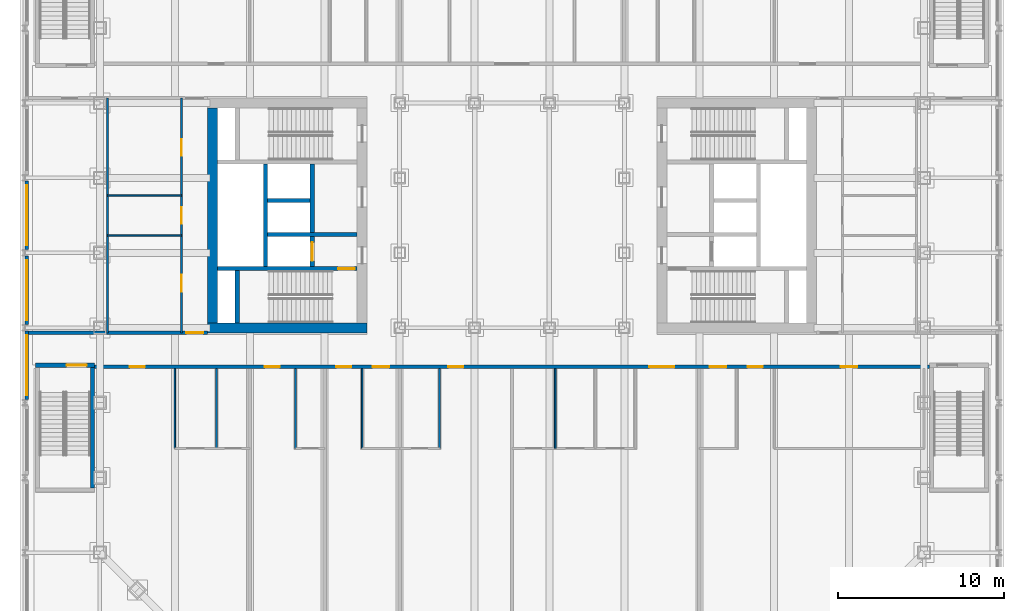
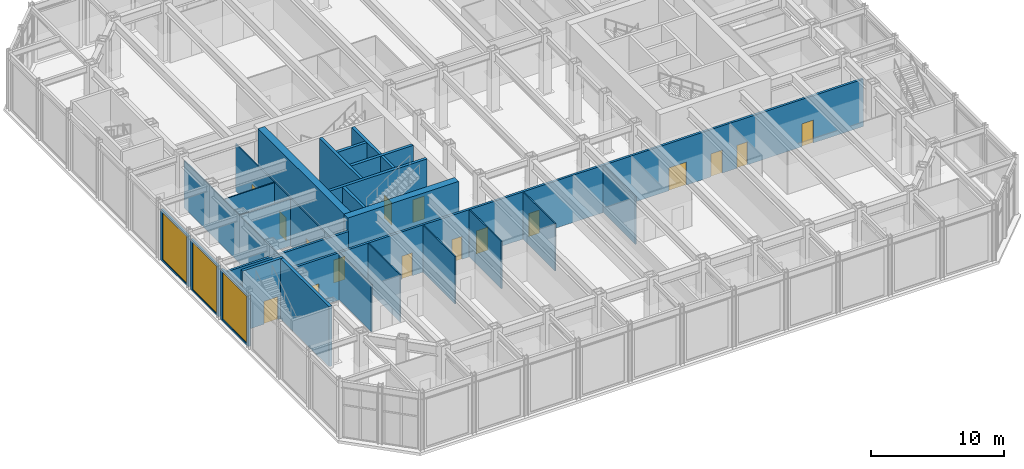
# One storey, part 11 of 19: 25 walls, 16 doors, 3 windows, 19 openings.
"""IFC4 building model written with IfcOpenShell, lengths in metres."""

from ifc_helpers import new_model, si_unit, direction, frame, frame_2d, origin, place, context, subcontext, project, spatial, rectangle, extrude, material, layer, layer_set, type_object, element, fill, save


model = new_model("IFC4")

# Units and contexts
model_context = context("Model", 3, precision=1e-05, world=origin(), true_north=direction((0.0, 1.0)))
body_context = subcontext(model_context, "Body", "Model", "MODEL_VIEW")
ifc_project = project(units=[si_unit("LENGTHUNIT", "METRE"), si_unit("AREAUNIT", "SQUARE_METRE"), si_unit("VOLUMEUNIT", "CUBIC_METRE"), si_unit("PLANEANGLEUNIT", "RADIAN"), si_unit("MASSUNIT", "GRAM", prefix="KILO")], contexts=[model_context])

# Site, building, storey
site_placement = place(None, origin())
site = spatial("IfcSite", under=ifc_project, at=site_placement, CompositionType="ELEMENT")
building_placement = place(site_placement, origin())
building = spatial("IfcBuilding", under=site, at=building_placement, Name="Msasa Ring Tower", CompositionType="ELEMENT")
storey_placement = place(building_placement, frame((0.0, 0.0, 16.0)))
storey = spatial("IfcBuildingStorey", under=building, at=storey_placement, Name="L03", CompositionType="ELEMENT", Elevation=16.0)

# Walls
ifc_material_1 = material(Name="Concrete C60/75", Category="concrete")
ifc_layer_1 = layer(ifc_material_1, 0.60009765625)
ifc_layer_set_1 = layer_set([ifc_layer_1], Name="CW1 CORE WALL 600")
wall_type_1 = type_object("IfcWallType", Name="CW1 CORE WALL 600", PredefinedType="SHEAR", material=ifc_layer_set_1)
wall_1_placement = place(storey_placement, frame((-8.699951171875, -6.75, 0.0), z_axis=(0.0, 0.0, 1.0), x_axis=(-1.0, 0.0, 0.0)))
element("IfcWall", 1, at=wall_1_placement, inside=storey, type_object=wall_type_1, Name="W core wall S L03", PredefinedType="SHEAR", context=body_context, shape_type="SweptSolid", body=[
    extrude(rectangle(XDim=9.60009765625, YDim=0.60009765625, at=frame_2d((4.800048828125, 0.0))), origin(), (0.0, 0.0, 1.0), 5.5),
])
wall_2_placement = place(storey_placement, frame((-18.0, -6.449951171875, 0.0), z_axis=(0.0, 0.0, 1.0), x_axis=(0.0, 1.0, 0.0)))
element("IfcWall", 2, at=wall_2_placement, inside=storey, type_object=wall_type_1, Name="W core wall E L03", PredefinedType="SHEAR", context=body_context, shape_type="SweptSolid", body=[
    extrude(rectangle(XDim=12.89990234375, YDim=0.60009765625, at=frame_2d((6.449951171875, 0.0))), origin(), (0.0, 0.0, 1.0), 5.5),
])

# Wall, opening, door
ifc_material_2 = material(Name="Concrete C60/75", Category="concrete")
ifc_layer_2 = layer(ifc_material_2, 0.25)
ifc_layer_set_2 = layer_set([ifc_layer_2], Name="CW4 CORE INNER WALL 250")
wall_type_2 = type_object("IfcWallType", Name="CW4 CORE INNER WALL 250", PredefinedType="SHEAR", material=ifc_layer_set_2)
wall_3_placement = place(storey_placement, frame((-9.300048828125, -3.199951171875, 0.0), z_axis=(0.0, 0.0, 1.0), x_axis=(-1.0, 0.0, 0.0)))
wall_3 = element("IfcWall", 3, at=wall_3_placement, inside=storey, type_object=wall_type_2, Name="W core wall STAIRA L03", PredefinedType="SHEAR", context=body_context, shape_type="SweptSolid", body=[
    extrude(rectangle(XDim=8.39990234375, YDim=0.25, at=frame_2d((4.199951171875, 0.0))), origin(), (0.0, 0.0, 1.0), 5.5),
])
opening_1_placement = place(wall_3_placement, frame((0.14990234375, 0.0, 0.0)))
opening_1 = element("IfcOpeningElement", 4, at=opening_1_placement, cuts=wall_3, Name="Opening L03-032", PredefinedType="OPENING", context=body_context, shape_type="SweptSolid", body=[
    extrude(rectangle(XDim=1.0, YDim=2.10009765625, at=frame_2d((0.5, 1.050048828125))), frame((0.0, 0.135009765625, 0.0), z_axis=(0.0, -1.0, 0.0), x_axis=(1.0, 0.0, 0.0)), (0.0, 0.0, 1.0), 0.27001953125),
])
ifc_material_3 = material(Name="Timber door leaf in a steel frame", Category="steel")
door_type_1 = type_object("IfcDoorType", Name="D6 STAIR DOOR 1000x2100", OperationType="SINGLE_SWING_LEFT", PredefinedType="DOOR", material=ifc_material_3)
door_1_placement = place(opening_1_placement, origin())
door_1 = element("IfcDoor", 5, at=door_1_placement, inside=storey, type_object=door_type_1, Name="Door L03-WSTA", OperationType="SINGLE_SWING_LEFT", OverallHeight=2.10009765625, OverallWidth=1.0, PredefinedType="DOOR", context=body_context, shape_type="SweptSolid", body=[
    extrude(rectangle(XDim=1.0, YDim=2.10009765625, at=frame_2d((0.5, 1.050048828125))), frame((0.0, 0.02490234375, 0.0), z_axis=(0.0, -1.0, 0.0), x_axis=(1.0, 0.0, 0.0)), (0.0, 0.0, 1.0), 0.050048828125),
])
fill(opening_1, door_1)

# Walls
wall_4_placement = place(storey_placement, frame((-16.5, -6.449951171875, 0.0), z_axis=(0.0, 0.0, 1.0), x_axis=(0.0, 1.0, 0.0)))
element("IfcWall", 6, at=wall_4_placement, inside=storey, type_object=wall_type_2, Name="W core wall RISERA L03", PredefinedType="SHEAR", context=body_context, shape_type="SweptSolid", body=[
    extrude(rectangle(XDim=3.125, YDim=0.25, at=frame_2d((1.5625, 0.0))), origin(), (0.0, 0.0, 1.0), 5.5),
])
wall_5_placement = place(storey_placement, frame((-9.300048828125, -1.14990234375, 0.0), z_axis=(0.0, 0.0, 1.0), x_axis=(-1.0, 0.0, 0.0)))
element("IfcWall", 7, at=wall_5_placement, inside=storey, type_object=wall_type_2, Name="W core wall FFL L03", PredefinedType="SHEAR", context=body_context, shape_type="SweptSolid", body=[
    extrude(rectangle(XDim=5.375, YDim=0.25, at=frame_2d((2.6875, 0.0))), origin(), (0.0, 0.0, 1.0), 5.5),
])

# Wall, opening, door
wall_6_placement = place(storey_placement, frame((-12.0, -3.074951171875, 0.0), z_axis=(0.0, 0.0, 1.0), x_axis=(0.0, 1.0, 0.0)))
wall_6 = element("IfcWall", 8, at=wall_6_placement, inside=storey, type_object=wall_type_2, Name="W core wall LOBBY L03", PredefinedType="SHEAR", context=body_context, shape_type="SweptSolid", body=[
    extrude(rectangle(XDim=6.14990234375, YDim=0.25, at=frame_2d((3.074951171875, 0.0))), origin(), (0.0, 0.0, 1.0), 5.5),
])
opening_2_placement = place(wall_6_placement, frame((0.35009765625, 0.0, 0.0)))
opening_2 = element("IfcOpeningElement", 9, at=opening_2_placement, cuts=wall_6, Name="Opening LD1", PredefinedType="OPENING", context=body_context, shape_type="SweptSolid", body=[
    extrude(rectangle(XDim=1.10009765625, YDim=2.10009765625, at=frame_2d((0.550048828125, 1.050048828125))), frame((0.0, 0.135009765625, 0.0), z_axis=(0.0, -1.0, 0.0), x_axis=(1.0, 0.0, 0.0)), (0.0, 0.0, 1.0), 0.27001953125),
])
ifc_material_4 = material(Name="Stainless steel lift landing door", Category="steel")
door_type_2 = type_object("IfcDoorType", Name="LD1 LIFT LANDING DOOR 1100x2100", OperationType="DOUBLE_DOOR_SLIDING", PredefinedType="DOOR", material=ifc_material_4)
door_2_placement = place(opening_2_placement, origin())
door_2 = element("IfcDoor", 10, at=door_2_placement, inside=storey, type_object=door_type_2, Name="Lift landing door FL-W L03", OperationType="DOUBLE_DOOR_SLIDING", OverallHeight=2.10009765625, OverallWidth=1.10009765625, PredefinedType="DOOR", context=body_context, shape_type="SweptSolid", body=[
    extrude(rectangle(XDim=1.10009765625, YDim=2.10009765625, at=frame_2d((0.550048828125, 1.050048828125))), frame((0.0, 0.02490234375, 0.0), z_axis=(0.0, -1.0, 0.0), x_axis=(1.0, 0.0, 0.0)), (0.0, 0.0, 1.0), 0.050048828125),
])
fill(opening_2, door_2)

# Walls
wall_7_placement = place(storey_placement, frame((-14.800048828125, -3.074951171875, 0.0), z_axis=(0.0, 0.0, 1.0), x_axis=(0.0, 1.0, 0.0)))
element("IfcWall", 11, at=wall_7_placement, inside=storey, type_object=wall_type_2, Name="W core wall SHAFT L03", PredefinedType="SHEAR", context=body_context, shape_type="SweptSolid", body=[
    extrude(rectangle(XDim=6.14990234375, YDim=0.25, at=frame_2d((3.074951171875, 0.0))), origin(), (0.0, 0.0, 1.0), 5.5),
])
wall_8_placement = place(storey_placement, frame((-12.125, 0.89990234375, 0.0), z_axis=(0.0, 0.0, 1.0), x_axis=(-1.0, 0.0, 0.0)))
element("IfcWall", 12, at=wall_8_placement, inside=storey, type_object=wall_type_2, Name="W core wall LIFT1 L03", PredefinedType="SHEAR", context=body_context, shape_type="SweptSolid", body=[
    extrude(rectangle(XDim=2.550048828125, YDim=0.25, at=frame_2d((1.27490234375, 0.0))), origin(), (0.0, 0.0, 1.0), 5.5),
])

# Wall, opening, window
ifc_material_5 = material(Name="Terracotta rainscreen on blockwork", Category="masonry")
ifc_layer_3 = layer(ifc_material_5, 0.199951171875)
ifc_layer_set_3 = layer_set([ifc_layer_3], Name="FW2 TERRACOTTA PODIUM BAY WALL 200")
wall_type_3 = type_object("IfcWallType", Name="FW2 TERRACOTTA PODIUM BAY WALL 200", PredefinedType="SOLIDWALL", material=ifc_layer_set_3)
wall_9_placement = place(storey_placement, frame((-29.14990234375, -11.0625, 0.0), z_axis=(0.0, 0.0, 1.0), x_axis=(0.0, 1.0, 0.0)))
wall_9 = element("IfcWall", 13, at=wall_9_placement, inside=storey, type_object=wall_type_3, Name="Podium bay wall W L03 42", PredefinedType="SOLIDWALL", context=body_context, shape_type="SweptSolid", body=[
    extrude(rectangle(XDim=4.125, YDim=0.199951171875, at=frame_2d((2.0625, 0.0))), origin(), (0.0, 0.0, 1.0), 4.6328125),
])
opening_3_placement = place(wall_9_placement, frame((0.262451171875, 0.0, 0.14990234375)))
opening_3 = element("IfcOpeningElement", 14, at=opening_3_placement, cuts=wall_9, Name="Opening SF4", PredefinedType="OPENING", context=body_context, shape_type="SweptSolid", body=[
    extrude(rectangle(XDim=3.60009765625, YDim=4.3330078125, at=frame_2d((1.800048828125, 2.16650390625))), frame((0.0, 0.10986328125, 0.0), z_axis=(0.0, -1.0, 0.0), x_axis=(1.0, 0.0, 0.0)), (0.0, 0.0, 1.0), 0.219970703125),
])
ifc_material_6 = material(Name="Aluminium frame with clear glass", Category="aluminium")
window_type = type_object("IfcWindowType", Name="SF4 SHOPFRONT GLAZING 3600x4333", PartitioningType="SINGLE_PANEL", PredefinedType="WINDOW", material=ifc_material_6)
window_1_placement = place(opening_3_placement, origin())
window_1 = element("IfcWindow", 15, at=window_1_placement, inside=storey, type_object=window_type, Name="Shopfront glazing W L03 42", OverallHeight=4.3330078125, OverallWidth=3.60009765625, PartitioningType="SINGLE_PANEL", PredefinedType="WINDOW", context=body_context, shape_type="SweptSolid", body=[
    extrude(rectangle(XDim=3.60009765625, YDim=4.3330078125, at=frame_2d((1.800048828125, 2.16650390625))), frame((0.0, 0.030029296875, 0.0), z_axis=(0.0, -1.0, 0.0), x_axis=(1.0, 0.0, 0.0)), (0.0, 0.0, 1.0), 0.06005859375),
])
fill(opening_3, window_1)

wall_10_placement = place(storey_placement, frame((-29.14990234375, -6.5625, 0.0), z_axis=(0.0, 0.0, 1.0), x_axis=(0.0, 1.0, 0.0)))
wall_10 = element("IfcWall", 16, at=wall_10_placement, inside=storey, type_object=wall_type_3, Name="Podium bay wall W L03 43", PredefinedType="SOLIDWALL", context=body_context, shape_type="SweptSolid", body=[
    extrude(rectangle(XDim=4.124755859375, YDim=0.199951171875, at=frame_2d((2.0625, 0.0))), origin(), (0.0, 0.0, 1.0), 4.6328125),
])
opening_4_placement = place(wall_10_placement, frame((0.262451171875, 0.0, 0.14990234375)))
opening_4 = element("IfcOpeningElement", 17, at=opening_4_placement, cuts=wall_10, Name="Opening SF4", PredefinedType="OPENING", context=body_context, shape_type="SweptSolid", body=[
    extrude(rectangle(XDim=3.60009765625, YDim=4.3330078125, at=frame_2d((1.800048828125, 2.16650390625))), frame((0.0, 0.10986328125, 0.0), z_axis=(0.0, -1.0, 0.0), x_axis=(1.0, 0.0, 0.0)), (0.0, 0.0, 1.0), 0.219970703125),
])
window_2_placement = place(opening_4_placement, origin())
window_2 = element("IfcWindow", 18, at=window_2_placement, inside=storey, type_object=window_type, Name="Shopfront glazing W L03 43", OverallHeight=4.3330078125, OverallWidth=3.60009765625, PartitioningType="SINGLE_PANEL", PredefinedType="WINDOW", context=body_context, shape_type="SweptSolid", body=[
    extrude(rectangle(XDim=3.60009765625, YDim=4.3330078125, at=frame_2d((1.800048828125, 2.16650390625))), frame((0.0, 0.030029296875, 0.0), z_axis=(0.0, -1.0, 0.0), x_axis=(1.0, 0.0, 0.0)), (0.0, 0.0, 1.0), 0.06005859375),
])
fill(opening_4, window_2)

wall_11_placement = place(storey_placement, frame((-29.14990234375, -2.062255859375, 0.0), z_axis=(0.0, 0.0, 1.0), x_axis=(0.0, 1.0, 0.0)))
wall_11 = element("IfcWall", 19, at=wall_11_placement, inside=storey, type_object=wall_type_3, Name="Podium bay wall W L03 44", PredefinedType="SOLIDWALL", context=body_context, shape_type="SweptSolid", body=[
    extrude(rectangle(XDim=4.12451171875, YDim=0.199951171875, at=frame_2d((2.062255859375, 0.0))), origin(), (0.0, 0.0, 1.0), 4.6328125),
])
opening_5_placement = place(wall_11_placement, frame((0.26220703125, 0.0, 0.14990234375)))
opening_5 = element("IfcOpeningElement", 20, at=opening_5_placement, cuts=wall_11, Name="Opening SF4", PredefinedType="OPENING", context=body_context, shape_type="SweptSolid", body=[
    extrude(rectangle(XDim=3.60009765625, YDim=4.3330078125, at=frame_2d((1.800048828125, 2.16650390625))), frame((0.0, 0.10986328125, 0.0), z_axis=(0.0, -1.0, 0.0), x_axis=(1.0, 0.0, 0.0)), (0.0, 0.0, 1.0), 0.219970703125),
])
window_3_placement = place(opening_5_placement, origin())
window_3 = element("IfcWindow", 21, at=window_3_placement, inside=storey, type_object=window_type, Name="Shopfront glazing W L03 44", OverallHeight=4.3330078125, OverallWidth=3.60009765625, PartitioningType="SINGLE_PANEL", PredefinedType="WINDOW", context=body_context, shape_type="SweptSolid", body=[
    extrude(rectangle(XDim=3.60009765625, YDim=4.3330078125, at=frame_2d((1.800048828125, 2.16650390625))), frame((0.0, 0.030029296875, 0.0), z_axis=(0.0, -1.0, 0.0), x_axis=(1.0, 0.0, 0.0)), (0.0, 0.0, 1.0), 0.06005859375),
])
fill(opening_5, window_3)

# Wall, openings, doors
ifc_material_7 = material(Name="Concrete blockwork", Category="masonry")
ifc_layer_4 = layer(ifc_material_7, 0.199951171875)
ifc_layer_set_4 = layer_set([ifc_layer_4], Name="PT1 CORRIDOR WALL 200")
wall_type_4 = type_object("IfcWallType", Name="PT1 CORRIDOR WALL 200", PredefinedType="PARTITIONING", material=ifc_layer_set_4)
wall_12_placement = place(storey_placement, frame((-25.074951171875, -9.10009765625, 0.0), z_axis=(0.0, 0.0, 1.0), x_axis=(1.0, 0.0, 0.0)))
wall_12 = element("IfcWall", 22, at=wall_12_placement, inside=storey, type_object=wall_type_4, Name="Corridor wall L03-CORRS1", PredefinedType="PARTITIONING", context=body_context, shape_type="SweptSolid", body=[
    extrude(rectangle(XDim=50.14990234375, YDim=0.199951171875, at=frame_2d((25.074951171875, 0.0))), origin(), (0.0, 0.0, 1.0), 4.3291015625),
])
opening_6_placement = place(wall_12_placement, frame((2.125, 0.0, 0.0)))
opening_6 = element("IfcOpeningElement", 23, at=opening_6_placement, cuts=wall_12, Name="Opening L03-040", PredefinedType="OPENING", context=body_context, shape_type="SweptSolid", body=[
    extrude(rectangle(XDim=0.89990234375, YDim=2.10009765625, at=frame_2d((0.449951171875, 1.050048828125))), frame((0.0, 0.10986328125, 0.0), z_axis=(0.0, -1.0, 0.0), x_axis=(1.0, 0.0, 0.0)), (0.0, 0.0, 1.0), 0.219970703125),
])
opening_7_placement = place(wall_12_placement, frame((10.22509765625, 0.0, 0.0)))
opening_7 = element("IfcOpeningElement", 24, at=opening_7_placement, cuts=wall_12, Name="Opening L03-041", PredefinedType="OPENING", context=body_context, shape_type="SweptSolid", body=[
    extrude(rectangle(XDim=0.89990234375, YDim=2.10009765625, at=frame_2d((0.449951171875, 1.050048828125))), frame((0.0, 0.10986328125, 0.0), z_axis=(0.0, -1.0, 0.0), x_axis=(1.0, 0.0, 0.0)), (0.0, 0.0, 1.0), 0.219970703125),
])
opening_8_placement = place(wall_12_placement, frame((16.699951171875, 0.0, 0.0)))
opening_8 = element("IfcOpeningElement", 25, at=opening_8_placement, cuts=wall_12, Name="Opening L03-043", PredefinedType="OPENING", context=body_context, shape_type="SweptSolid", body=[
    extrude(rectangle(XDim=1.0, YDim=2.10009765625, at=frame_2d((0.5, 1.050048828125))), frame((0.0, 0.10986328125, 0.0), z_axis=(0.0, -1.0, 0.0), x_axis=(1.0, 0.0, 0.0)), (0.0, 0.0, 1.0), 0.219970703125),
])
opening_9_placement = place(wall_12_placement, frame((14.52490234375, 0.0, 0.0)))
opening_9 = element("IfcOpeningElement", 26, at=opening_9_placement, cuts=wall_12, Name="Opening L03-042", PredefinedType="OPENING", context=body_context, shape_type="SweptSolid", body=[
    extrude(rectangle(XDim=0.89990234375, YDim=2.10009765625, at=frame_2d((0.449951171875, 1.050048828125))), frame((0.0, 0.10986328125, 0.0), z_axis=(0.0, -1.0, 0.0), x_axis=(1.0, 0.0, 0.0)), (0.0, 0.0, 1.0), 0.219970703125),
])
opening_10_placement = place(wall_12_placement, frame((21.25, 0.0, 0.0)))
opening_10 = element("IfcOpeningElement", 27, at=opening_10_placement, cuts=wall_12, Name="Opening L03-044", PredefinedType="OPENING", context=body_context, shape_type="SweptSolid", body=[
    extrude(rectangle(XDim=0.89990234375, YDim=2.10009765625, at=frame_2d((0.449951171875, 1.050048828125))), frame((0.0, 0.10986328125, 0.0), z_axis=(0.0, -1.0, 0.0), x_axis=(1.0, 0.0, 0.0)), (0.0, 0.0, 1.0), 0.219970703125),
])
opening_11_placement = place(wall_12_placement, frame((33.324951171875, 0.0, 0.0)))
opening_11 = element("IfcOpeningElement", 28, at=opening_11_placement, cuts=wall_12, Name="Opening L03-045", PredefinedType="OPENING", context=body_context, shape_type="SweptSolid", body=[
    extrude(rectangle(XDim=1.5, YDim=2.10009765625, at=frame_2d((0.75, 1.050048828125))), frame((0.0, 0.10986328125, 0.0), z_axis=(0.0, -1.0, 0.0), x_axis=(1.0, 0.0, 0.0)), (0.0, 0.0, 1.0), 0.219970703125),
])
opening_12_placement = place(wall_12_placement, frame((36.949951171875, 0.0, 0.0)))
opening_12 = element("IfcOpeningElement", 29, at=opening_12_placement, cuts=wall_12, Name="Opening L03-046", PredefinedType="OPENING", context=body_context, shape_type="SweptSolid", body=[
    extrude(rectangle(XDim=1.0, YDim=2.10009765625, at=frame_2d((0.5, 1.050048828125))), frame((0.0, 0.10986328125, 0.0), z_axis=(0.0, -1.0, 0.0), x_axis=(1.0, 0.0, 0.0)), (0.0, 0.0, 1.0), 0.219970703125),
])
opening_13_placement = place(wall_12_placement, frame((44.824951171875, 0.0, 0.0)))
opening_13 = element("IfcOpeningElement", 30, at=opening_13_placement, cuts=wall_12, Name="Opening L03-048", PredefinedType="OPENING", context=body_context, shape_type="SweptSolid", body=[
    extrude(rectangle(XDim=1.0, YDim=2.10009765625, at=frame_2d((0.5, 1.050048828125))), frame((0.0, 0.10986328125, 0.0), z_axis=(0.0, -1.0, 0.0), x_axis=(1.0, 0.0, 0.0)), (0.0, 0.0, 1.0), 0.219970703125),
])
opening_14_placement = place(wall_12_placement, frame((39.22509765625, 0.0, 0.0)))
opening_14 = element("IfcOpeningElement", 31, at=opening_14_placement, cuts=wall_12, Name="Opening L03-047", PredefinedType="OPENING", context=body_context, shape_type="SweptSolid", body=[
    extrude(rectangle(XDim=0.89990234375, YDim=2.10009765625, at=frame_2d((0.449951171875, 1.050048828125))), frame((0.0, 0.10986328125, 0.0), z_axis=(0.0, -1.0, 0.0), x_axis=(1.0, 0.0, 0.0)), (0.0, 0.0, 1.0), 0.219970703125),
])
ifc_material_8 = material(Name="Timber door leaf in a steel frame", Category="steel")
door_type_3 = type_object("IfcDoorType", Name="D1 SINGLE DOOR TO CORRIDOR 900x2100", OperationType="SINGLE_SWING_LEFT", PredefinedType="DOOR", material=ifc_material_8)
door_3_placement = place(opening_6_placement, origin())
door_3 = element("IfcDoor", 32, at=door_3_placement, inside=storey, type_object=door_type_3, Name="Door L03-PDS0", OperationType="SINGLE_SWING_LEFT", OverallHeight=2.10009765625, OverallWidth=0.89990234375, PredefinedType="DOOR", context=body_context, shape_type="SweptSolid", body=[
    extrude(rectangle(XDim=0.89990234375, YDim=2.10009765625, at=frame_2d((0.449951171875, 1.050048828125))), frame((0.0, 0.02490234375, 0.0), z_axis=(0.0, -1.0, 0.0), x_axis=(1.0, 0.0, 0.0)), (0.0, 0.0, 1.0), 0.050048828125),
])
fill(opening_6, door_3)
door_4_placement = place(opening_7_placement, origin())
door_4 = element("IfcDoor", 33, at=door_4_placement, inside=storey, type_object=door_type_3, Name="Door L03-PDS1", OperationType="SINGLE_SWING_LEFT", OverallHeight=2.10009765625, OverallWidth=0.89990234375, PredefinedType="DOOR", context=body_context, shape_type="SweptSolid", body=[
    extrude(rectangle(XDim=0.89990234375, YDim=2.10009765625, at=frame_2d((0.449951171875, 1.050048828125))), frame((0.0, 0.02490234375, 0.0), z_axis=(0.0, -1.0, 0.0), x_axis=(1.0, 0.0, 0.0)), (0.0, 0.0, 1.0), 0.050048828125),
])
fill(opening_7, door_4)
door_5_placement = place(opening_9_placement, origin())
door_5 = element("IfcDoor", 34, at=door_5_placement, inside=storey, type_object=door_type_3, Name="Door L03-PDS2", OperationType="SINGLE_SWING_LEFT", OverallHeight=2.10009765625, OverallWidth=0.89990234375, PredefinedType="DOOR", context=body_context, shape_type="SweptSolid", body=[
    extrude(rectangle(XDim=0.89990234375, YDim=2.10009765625, at=frame_2d((0.449951171875, 1.050048828125))), frame((0.0, 0.02490234375, 0.0), z_axis=(0.0, -1.0, 0.0), x_axis=(1.0, 0.0, 0.0)), (0.0, 0.0, 1.0), 0.050048828125),
])
fill(opening_9, door_5)
door_6_placement = place(opening_10_placement, origin())
door_6 = element("IfcDoor", 35, at=door_6_placement, inside=storey, type_object=door_type_3, Name="Door L03-PDS3", OperationType="SINGLE_SWING_LEFT", OverallHeight=2.10009765625, OverallWidth=0.89990234375, PredefinedType="DOOR", context=body_context, shape_type="SweptSolid", body=[
    extrude(rectangle(XDim=0.89990234375, YDim=2.10009765625, at=frame_2d((0.449951171875, 1.050048828125))), frame((0.0, 0.02490234375, 0.0), z_axis=(0.0, -1.0, 0.0), x_axis=(1.0, 0.0, 0.0)), (0.0, 0.0, 1.0), 0.050048828125),
])
fill(opening_10, door_6)
door_7_placement = place(opening_14_placement, origin())
door_7 = element("IfcDoor", 36, at=door_7_placement, inside=storey, type_object=door_type_3, Name="Door L03-PDS5", OperationType="SINGLE_SWING_RIGHT", OverallHeight=2.10009765625, OverallWidth=0.89990234375, PredefinedType="DOOR", context=body_context, shape_type="SweptSolid", body=[
    extrude(rectangle(XDim=0.89990234375, YDim=2.10009765625, at=frame_2d((0.449951171875, 1.050048828125))), frame((0.0, 0.02490234375, 0.0), z_axis=(0.0, -1.0, 0.0), x_axis=(1.0, 0.0, 0.0)), (0.0, 0.0, 1.0), 0.050048828125),
])
fill(opening_14, door_7)
ifc_material_9 = material(Name="Timber door leaf in a steel frame", Category="steel")
door_type_4 = type_object("IfcDoorType", Name="D10 STORE DOOR 1000x2100", OperationType="SINGLE_SWING_LEFT", PredefinedType="DOOR", material=ifc_material_9)
door_8_placement = place(opening_8_placement, origin())
door_8 = element("IfcDoor", 37, at=door_8_placement, inside=storey, type_object=door_type_4, Name="Door L03-PDS2B0", OperationType="SINGLE_SWING_LEFT", OverallHeight=2.10009765625, OverallWidth=1.0, PredefinedType="DOOR", context=body_context, shape_type="SweptSolid", body=[
    extrude(rectangle(XDim=1.0, YDim=2.10009765625, at=frame_2d((0.5, 1.050048828125))), frame((0.0, 0.02490234375, 0.0), z_axis=(0.0, -1.0, 0.0), x_axis=(1.0, 0.0, 0.0)), (0.0, 0.0, 1.0), 0.050048828125),
])
fill(opening_8, door_8)
door_9_placement = place(opening_12_placement, origin())
door_9 = element("IfcDoor", 38, at=door_9_placement, inside=storey, type_object=door_type_4, Name="Door L03-PDS5B0", OperationType="SINGLE_SWING_RIGHT", OverallHeight=2.10009765625, OverallWidth=1.0, PredefinedType="DOOR", context=body_context, shape_type="SweptSolid", body=[
    extrude(rectangle(XDim=1.0, YDim=2.10009765625, at=frame_2d((0.5, 1.050048828125))), frame((0.0, 0.02490234375, 0.0), z_axis=(0.0, -1.0, 0.0), x_axis=(1.0, 0.0, 0.0)), (0.0, 0.0, 1.0), 0.050048828125),
])
fill(opening_12, door_9)
door_10_placement = place(opening_13_placement, origin())
door_10 = element("IfcDoor", 39, at=door_10_placement, inside=storey, type_object=door_type_4, Name="Door L03-PDS5B1", OperationType="SINGLE_SWING_RIGHT", OverallHeight=2.10009765625, OverallWidth=1.0, PredefinedType="DOOR", context=body_context, shape_type="SweptSolid", body=[
    extrude(rectangle(XDim=1.0, YDim=2.10009765625, at=frame_2d((0.5, 1.050048828125))), frame((0.0, 0.02490234375, 0.0), z_axis=(0.0, -1.0, 0.0), x_axis=(1.0, 0.0, 0.0)), (0.0, 0.0, 1.0), 0.050048828125),
])
fill(opening_13, door_10)
ifc_material_10 = material(Name="Timber door leaf in a steel frame", Category="steel")
door_type_5 = type_object("IfcDoorType", Name="D19 KITCHEN DOUBLE SWING DOOR 1500x2100", OperationType="SINGLE_SWING_LEFT", PredefinedType="DOOR", material=ifc_material_10)
door_11_placement = place(opening_11_placement, origin())
door_11 = element("IfcDoor", 40, at=door_11_placement, inside=storey, type_object=door_type_5, Name="Door L03-PDS4", OperationType="SINGLE_SWING_RIGHT", OverallHeight=2.10009765625, OverallWidth=1.5, PredefinedType="DOOR", context=body_context, shape_type="SweptSolid", body=[
    extrude(rectangle(XDim=1.5, YDim=2.10009765625, at=frame_2d((0.75, 1.050048828125))), frame((0.0, 0.02490234375, 0.0), z_axis=(0.0, -1.0, 0.0), x_axis=(1.0, 0.0, 0.0)), (0.0, 0.0, 1.0), 0.050048828125),
])
fill(opening_11, door_11)

# Wall, opening, door
wall_13_placement = place(storey_placement, frame((-29.050048828125, -7.050048828125, 0.0), z_axis=(0.0, 0.0, 1.0), x_axis=(1.0, 0.0, 0.0)))
wall_13 = element("IfcWall", 41, at=wall_13_placement, inside=storey, type_object=wall_type_4, Name="Corridor wall L03-STRWS", PredefinedType="PARTITIONING", context=body_context, shape_type="SweptSolid", body=[
    extrude(rectangle(XDim=10.75, YDim=0.199951171875, at=frame_2d((5.375, 0.0))), origin(), (0.0, 0.0, 1.0), 4.3291015625),
])
opening_15_placement = place(wall_13_placement, frame((9.5, 0.0, 0.0)))
opening_15 = element("IfcOpeningElement", 42, at=opening_15_placement, cuts=wall_13, Name="Opening L03-036", PredefinedType="OPENING", context=body_context, shape_type="SweptSolid", body=[
    extrude(rectangle(XDim=1.0, YDim=2.10009765625, at=frame_2d((0.5, 1.050048828125))), frame((0.0, 0.10986328125, 0.0), z_axis=(0.0, -1.0, 0.0), x_axis=(1.0, 0.0, 0.0)), (0.0, 0.0, 1.0), 0.219970703125),
])
ifc_material_11 = material(Name="Timber door leaf in a steel frame", Category="steel")
door_type_6 = type_object("IfcDoorType", Name="D12 WC DOOR 1000x2100", OperationType="SINGLE_SWING_LEFT", PredefinedType="DOOR", material=ifc_material_11)
door_12_placement = place(opening_15_placement, origin())
door_12 = element("IfcDoor", 43, at=door_12_placement, inside=storey, type_object=door_type_6, Name="Door L03-WLWS", OperationType="SINGLE_SWING_RIGHT", OverallHeight=2.10009765625, OverallWidth=1.0, PredefinedType="DOOR", context=body_context, shape_type="SweptSolid", body=[
    extrude(rectangle(XDim=1.0, YDim=2.10009765625, at=frame_2d((0.5, 1.050048828125))), frame((0.0, 0.02490234375, 0.0), z_axis=(0.0, -1.0, 0.0), x_axis=(1.0, 0.0, 0.0)), (0.0, 0.0, 1.0), 0.050048828125),
])
fill(opening_15, door_12)

# Walls
ifc_material_12 = material(Name="Gypsum board on steel studs", Category="steel")
ifc_layer_5 = layer(ifc_material_12, 0.10009765625)
ifc_layer_set_5 = layer_set([ifc_layer_5], Name="PT2 STUD PARTITION 100")
wall_type_5 = type_object("IfcWallType", Name="PT2 STUD PARTITION 100", PredefinedType="PARTITIONING", material=ifc_layer_set_5)
for number, where, z_axis, x_axis, name in (
    (44, (-20.25, -14.0, 0.0), (0.0, 0.0, 1.0), (0.0, 1.0, 0.0), "Partition L03-PDS0BX-20.25"),
    (45, (-17.75, -14.0, 0.0), (0.0, 0.0, 1.0), (0.0, 1.0, 0.0), "Partition L03-PDS0BX-17.75"),
    (46, (-13.0, -14.0, 0.0), (0.0, 0.0, 1.0), (0.0, 1.0, 0.0), "Partition L03-PDS1BX-13.00"),
    (47, (-9.0, -14.0, 0.0), (0.0, 0.0, 1.0), (0.0, 1.0, 0.0), "Partition L03-PDS2BX-9.00"),
    (48, (-4.35009765625, -14.0, 0.0), (0.0, 0.0, 1.0), (0.0, 1.0, 0.0), "Partition L03-PDS3BX-4.35"),
    (49, (2.60009765625, -14.0, 0.0), (0.0, 0.0, 1.0), (0.0, 1.0, 0.0), "Partition L03-PDS4BX+2.60"),
):
    element("IfcWall", number, at=place(storey_placement, frame(where, z_axis=z_axis, x_axis=x_axis)), inside=storey, type_object=wall_type_5, Name=name, PredefinedType="PARTITIONING", context=body_context, shape_type="SweptSolid", body=[
        extrude(rectangle(XDim=4.800048828125, YDim=0.10009765625, at=frame_2d((2.39990234375, 0.0))), origin(), (0.0, 0.0, 1.0), 4.3291015625),
    ])

# Wall, openings, doors
wall_14_placement = place(storey_placement, frame((-19.85009765625, -7.050048828125, 0.0), z_axis=(0.0, 0.0, 1.0), x_axis=(0.0, 1.0, 0.0)))
wall_14 = element("IfcWall", 50, at=wall_14_placement, inside=storey, type_object=wall_type_5, Name="Partition L03-WCWL", PredefinedType="PARTITIONING", context=body_context, shape_type="SweptSolid", body=[
    extrude(rectangle(XDim=14.10009765625, YDim=0.10009765625, at=frame_2d((7.050048828125, 0.0))), origin(), (0.0, 0.0, 1.0), 4.3291015625),
])
opening_16_placement = place(wall_14_placement, frame((2.47509765625, 0.0, 0.0)))
opening_16 = element("IfcOpeningElement", 51, at=opening_16_placement, cuts=wall_14, Name="Opening L03-034", PredefinedType="OPENING", context=body_context, shape_type="SweptSolid", body=[
    extrude(rectangle(XDim=1.0, YDim=2.10009765625, at=frame_2d((0.5, 1.050048828125))), frame((0.0, 0.06005859375, 0.0), z_axis=(0.0, -1.0, 0.0), x_axis=(1.0, 0.0, 0.0)), (0.0, 0.0, 1.0), 0.1201171875),
])
opening_17_placement = place(wall_14_placement, frame((6.550048828125, 0.0, 0.0)))
opening_17 = element("IfcOpeningElement", 52, at=opening_17_placement, cuts=wall_14, Name="Opening L03-028", PredefinedType="OPENING", context=body_context, shape_type="SweptSolid", body=[
    extrude(rectangle(XDim=1.0, YDim=2.10009765625, at=frame_2d((0.5, 1.050048828125))), frame((0.0, 0.06005859375, 0.0), z_axis=(0.0, -1.0, 0.0), x_axis=(1.0, 0.0, 0.0)), (0.0, 0.0, 1.0), 0.1201171875),
])
opening_18_placement = place(wall_14_placement, frame((10.625, 0.0, 0.0)))
opening_18 = element("IfcOpeningElement", 53, at=opening_18_placement, cuts=wall_14, Name="Opening L03-024", PredefinedType="OPENING", context=body_context, shape_type="SweptSolid", body=[
    extrude(rectangle(XDim=1.0, YDim=2.10009765625, at=frame_2d((0.5, 1.050048828125))), frame((0.0, 0.06005859375, 0.0), z_axis=(0.0, -1.0, 0.0), x_axis=(1.0, 0.0, 0.0)), (0.0, 0.0, 1.0), 0.1201171875),
])
door_13_placement = place(opening_16_placement, origin())
door_13 = element("IfcDoor", 54, at=door_13_placement, inside=storey, type_object=door_type_6, Name="Door L03-WCW0", OperationType="SINGLE_SWING_LEFT", OverallHeight=2.10009765625, OverallWidth=1.0, PredefinedType="DOOR", context=body_context, shape_type="SweptSolid", body=[
    extrude(rectangle(XDim=1.0, YDim=2.10009765625, at=frame_2d((0.5, 1.050048828125))), frame((0.0, 0.02490234375, 0.0), z_axis=(0.0, -1.0, 0.0), x_axis=(1.0, 0.0, 0.0)), (0.0, 0.0, 1.0), 0.050048828125),
])
fill(opening_16, door_13)
door_14_placement = place(opening_17_placement, origin())
door_14 = element("IfcDoor", 55, at=door_14_placement, inside=storey, type_object=door_type_6, Name="Door L03-WCW1", OperationType="SINGLE_SWING_LEFT", OverallHeight=2.10009765625, OverallWidth=1.0, PredefinedType="DOOR", context=body_context, shape_type="SweptSolid", body=[
    extrude(rectangle(XDim=1.0, YDim=2.10009765625, at=frame_2d((0.5, 1.050048828125))), frame((0.0, 0.02490234375, 0.0), z_axis=(0.0, -1.0, 0.0), x_axis=(1.0, 0.0, 0.0)), (0.0, 0.0, 1.0), 0.050048828125),
])
fill(opening_17, door_14)
door_15_placement = place(opening_18_placement, origin())
door_15 = element("IfcDoor", 56, at=door_15_placement, inside=storey, type_object=door_type_6, Name="Door L03-WCW2", OperationType="SINGLE_SWING_RIGHT", OverallHeight=2.10009765625, OverallWidth=1.0, PredefinedType="DOOR", context=body_context, shape_type="SweptSolid", body=[
    extrude(rectangle(XDim=1.0, YDim=2.10009765625, at=frame_2d((0.5, 1.050048828125))), frame((0.0, 0.02490234375, 0.0), z_axis=(0.0, -1.0, 0.0), x_axis=(1.0, 0.0, 0.0)), (0.0, 0.0, 1.0), 0.050048828125),
])
fill(opening_18, door_15)

# Walls
for number, where, z_axis, x_axis, name in (
    (57, (-24.294921875, -1.199951171875, 0.0), (0.0, 0.0, 1.0), (1.0, 0.0, 0.0), "Partition L03-WCWX0"),
    (58, (-24.294921875, 1.199951171875, 0.0), (0.0, 0.0, 1.0), (1.0, 0.0, 0.0), "Partition L03-WCWX1"),
):
    element("IfcWall", number, at=place(storey_placement, frame(where, z_axis=z_axis, x_axis=x_axis)), inside=storey, type_object=wall_type_5, Name=name, PredefinedType="PARTITIONING", context=body_context, shape_type="SweptSolid", body=[
        extrude(rectangle(XDim=4.44482421875, YDim=0.10009765625, at=frame_2d((2.222412109375, 0.0))), origin(), (0.0, 0.0, 1.0), 4.3291015625),
    ])
wall_15_placement = place(storey_placement, frame((-24.294921875, -7.050048828125, 0.0), z_axis=(0.0, 0.0, 1.0), x_axis=(0.0, 1.0, 0.0)))
element("IfcWall", 59, at=wall_15_placement, inside=storey, type_object=wall_type_5, Name="Partition L03-WCWC", PredefinedType="PARTITIONING", context=body_context, shape_type="SweptSolid", body=[
    extrude(rectangle(XDim=14.10009765625, YDim=0.10009765625, at=frame_2d((7.050048828125, 0.0))), origin(), (0.0, 0.0, 1.0), 4.3291015625),
])

# Wall, opening, door
ifc_material_13 = material(Name="Concrete C60/75", Category="concrete")
ifc_layer_6 = layer(ifc_material_13, 0.25)
ifc_layer_set_6 = layer_set([ifc_layer_6], Name="SW1 STAIR WALL 250")
wall_type_6 = type_object("IfcWallType", Name="SW1 STAIR WALL 250", PredefinedType="SHEAR", material=ifc_layer_set_6)
wall_16_placement = place(storey_placement, frame((-28.625, -9.0, 0.0), z_axis=(0.0, 0.0, 1.0), x_axis=(1.0, 0.0, 0.0)))
wall_16 = element("IfcWall", 60, at=wall_16_placement, inside=storey, type_object=wall_type_6, Name="Podium stair WS wall N L03", PredefinedType="SHEAR", context=body_context, shape_type="SweptSolid", body=[
    extrude(rectangle(XDim=3.550048828125, YDim=0.25, at=frame_2d((1.77490234375, 0.0))), origin(), (0.0, 0.0, 1.0), 5.5),
])
opening_19_placement = place(wall_16_placement, frame((1.875, 0.0, 0.0)))
opening_19 = element("IfcOpeningElement", 61, at=opening_19_placement, cuts=wall_16, Name="Opening L03-038", PredefinedType="OPENING", context=body_context, shape_type="SweptSolid", body=[
    extrude(rectangle(XDim=1.199951171875, YDim=2.10009765625, at=frame_2d((0.60009765625, 1.050048828125))), frame((0.0, 0.135009765625, 0.0), z_axis=(0.0, -1.0, 0.0), x_axis=(1.0, 0.0, 0.0)), (0.0, 0.0, 1.0), 0.27001953125),
])
ifc_material_14 = material(Name="Timber door leaf in a steel frame", Category="steel")
door_type_7 = type_object("IfcDoorType", Name="D7 WIDE STAIR DOOR 1200x2100", OperationType="SINGLE_SWING_LEFT", PredefinedType="DOOR", material=ifc_material_14)
door_16_placement = place(opening_19_placement, origin())
door_16 = element("IfcDoor", 62, at=door_16_placement, inside=storey, type_object=door_type_7, Name="Door L03-PSTWS", OperationType="SINGLE_SWING_RIGHT", OverallHeight=2.10009765625, OverallWidth=1.199951171875, PredefinedType="DOOR", context=body_context, shape_type="SweptSolid", body=[
    extrude(rectangle(XDim=1.199951171875, YDim=2.10009765625, at=frame_2d((0.60009765625, 1.050048828125))), frame((0.0, 0.02490234375, 0.0), z_axis=(0.0, -1.0, 0.0), x_axis=(1.0, 0.0, 0.0)), (0.0, 0.0, 1.0), 0.050048828125),
])
fill(opening_19, door_16)

# Wall
wall_17_placement = place(storey_placement, frame((-25.199951171875, -16.375, 0.0), z_axis=(0.0, 0.0, 1.0), x_axis=(0.0, 1.0, 0.0)))
element("IfcWall", 63, at=wall_17_placement, inside=storey, type_object=wall_type_6, Name="Podium stair WS wall E L03", PredefinedType="SHEAR", context=body_context, shape_type="SweptSolid", body=[
    extrude(rectangle(XDim=7.25, YDim=0.25, at=frame_2d((3.625, 0.0))), origin(), (0.0, 0.0, 1.0), 5.5),
])

save(model, "model.ifc")
